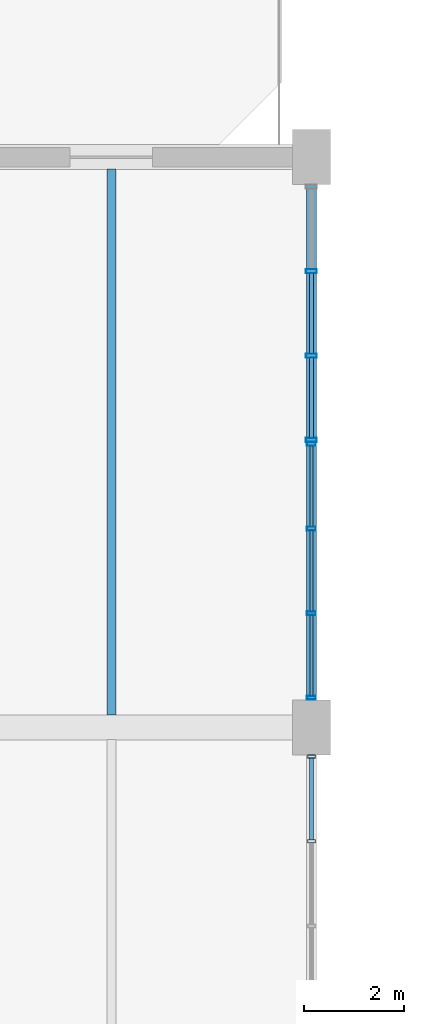
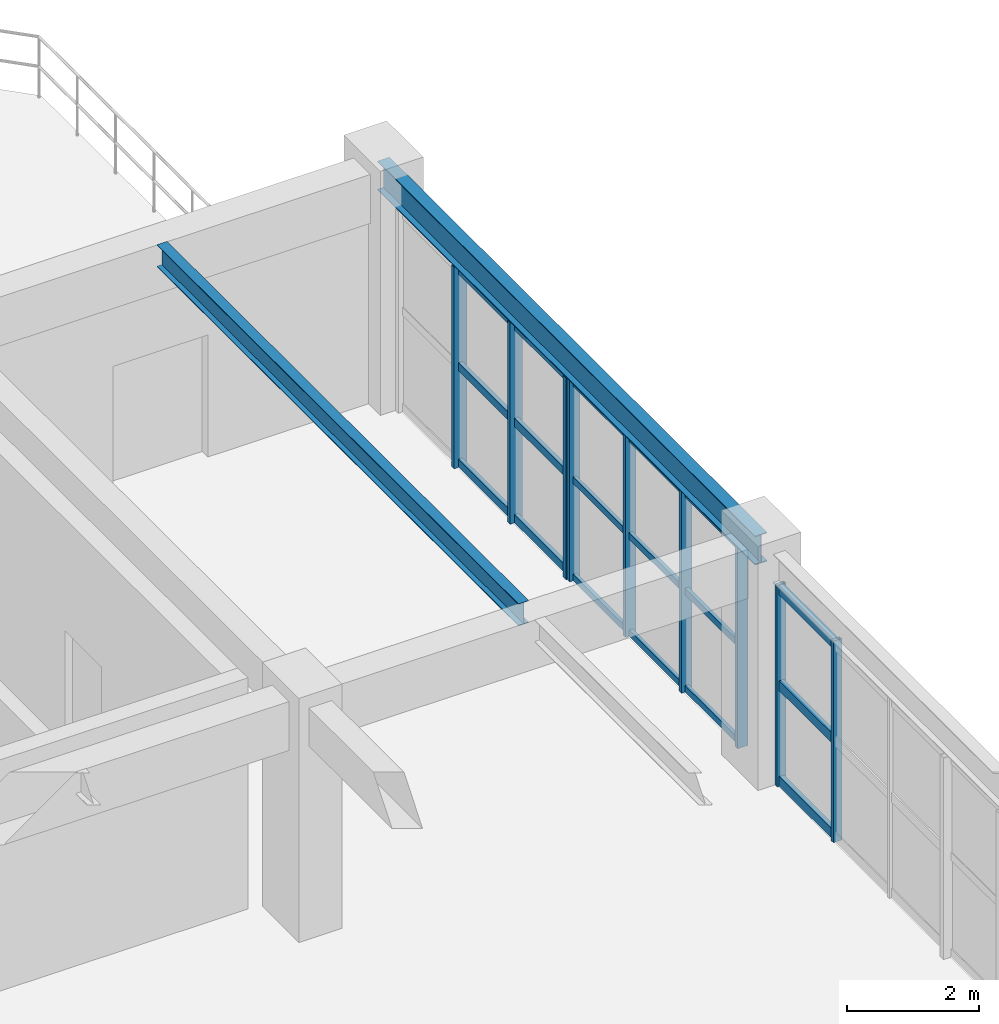
# One storey, part 10 of 48: 27 members, 2 beams, 3 elements without a shape of their own.
"""IFC4 building model written with IfcOpenShell, lengths in metres."""

from ifc_helpers import new_model, si_unit, direction, frame, origin, origin_2d, place, context, subcontext, project, spatial, hollow_rectangle, i_section, extrude, material, layer, layer_set, material_profile, profile_set, type_object, element, aggregate, save


model = new_model("IFC4")

# Units and contexts
model_context = context("Model", 3, precision=1e-05, world=origin(), true_north=direction((0.0, 1.0)))
body_context = subcontext(model_context, "Body", "Model", "MODEL_VIEW")
ifc_project = project(units=[si_unit("LENGTHUNIT", "METRE"), si_unit("AREAUNIT", "SQUARE_METRE"), si_unit("VOLUMEUNIT", "CUBIC_METRE"), si_unit("PLANEANGLEUNIT", "RADIAN"), si_unit("MASSUNIT", "GRAM", prefix="KILO"), si_unit("POWERUNIT", "WATT"), si_unit("THERMODYNAMICTEMPERATUREUNIT", "KELVIN")], contexts=[model_context])

# Site, building, storey
site_placement = place(None, origin())
site = spatial("IfcSite", under=ifc_project, at=site_placement, CompositionType="ELEMENT")
building_placement = place(site_placement, origin())
building = spatial("IfcBuilding", under=site, at=building_placement, Name="Kelmbourne Parkland Aquatics Centre", CompositionType="ELEMENT")
storey_placement = place(building_placement, frame((0.0, 0.0, 14.699951171875)))
storey = spatial("IfcBuildingStorey", under=building, at=storey_placement, Name="L03", CompositionType="ELEMENT", Elevation=14.699951171875)

# Beams
ifc_material_1 = material(Name="Structural steel AS/NZS 3679.1 Grade 300", Category="steel")
ifc_material_profile_1 = material_profile(ifc_material_1, i_section(OverallWidth=0.177978515625, OverallDepth=0.406005859375, WebThickness=0.0078125, FlangeThickness=0.0126953125, at=origin_2d()), Name="410UB59.7")
ifc_profile_set_1 = profile_set([ifc_material_profile_1], Name="Structural steel AS/NZS 3679.1 Grade 300")
beam_type_1 = type_object("IfcBeamType", Name="BM-J01", PredefinedType="JOIST", material=ifc_profile_set_1)
beam_1_placement = place(storey_placement, frame((36.0, 35.241943359375, 4.05712890625), z_axis=(0.0, 1.0, 0.0), x_axis=(-1.0, 0.0, 0.0)))
element("IfcBeam", 1, at=beam_1_placement, inside=storey, type_object=beam_type_1, Name="Secondary floor joist E-F/05-06 #1 (L04)", PredefinedType="JOIST", context=body_context, shape_type="SweptSolid", body=[
    extrude(i_section(OverallWidth=0.177978515625, OverallDepth=0.406005859375, WebThickness=0.0078125, FlangeThickness=0.0126953125, at=origin_2d()), origin(), (0.0, 0.0, 1.0), 10.916015625),
])
ifc_material_profile_2 = material_profile(ifc_material_1, i_section(OverallWidth=0.208984375, OverallDepth=0.532958984375, WebThickness=0.01025390625, FlangeThickness=0.015625, at=origin_2d()), Name="530UB92.4")
ifc_profile_set_2 = profile_set([ifc_material_profile_2], Name="Structural steel AS/NZS 3679.1 Grade 300")
beam_type_2 = type_object("IfcBeamType", Name="BM-SP02", PredefinedType="SPANDREL", material=ifc_profile_set_2)
beam_2_placement = place(storey_placement, frame((40.0, 35.0, 3.99365234375), z_axis=(0.0, 1.0, 0.0), x_axis=(-1.0, 0.0, 0.0)))
element("IfcBeam", 2, at=beam_2_placement, inside=storey, type_object=beam_type_2, Name="Perimeter spandrel 05-06 Grid F (L04)", PredefinedType="SPANDREL", context=body_context, shape_type="SweptSolid", body=[
    extrude(i_section(OverallWidth=0.208984375, OverallDepth=0.532958984375, WebThickness=0.01025390625, FlangeThickness=0.015625, at=origin_2d()), origin(), (0.0, 0.0, 1.0), 11.39990234375),
])

# Curtain wall, members
ifc_material_2 = material(Name="Thermally broken anodised aluminium framing", Category="aluminium")
ifc_layer_1 = layer(ifc_material_2, 0.179931640625)
ifc_layer_set_1 = layer_set([ifc_layer_1], Name="Thermally broken anodised aluminium framing")
curtain_wall_type_1 = type_object("IfcCurtainWallType", Name="CW-20", PredefinedType="NOTDEFINED", material=ifc_layer_set_1)
curtain_wall_1_placement = place(storey_placement, origin())
curtain_wall_1 = element("IfcCurtainWall", 3, at=curtain_wall_1_placement, inside=storey, type_object=curtain_wall_type_1, Name="Facade curtain wall CW-L03-260", PredefinedType="NOTDEFINED")
ifc_material_profile_3 = material_profile(ifc_material_2, hollow_rectangle(XDim=0.06494140625, YDim=0.14990234375, WallThickness=0.00390625, at=origin_2d()), Name="CW-M 65x150")
ifc_profile_set_3 = profile_set([ifc_material_profile_3], Name="Thermally broken anodised aluminium framing")
member_type_1 = type_object("IfcMemberType", Name="MB-MUL-1", PredefinedType="MULLION", material=ifc_profile_set_3)
member_1_placement = place(storey_placement, frame((40.0, 32.72119140625, 0.0), z_axis=(0.0, 0.0, 1.0), x_axis=(0.0, 1.0, 0.0)))
member_1 = element("IfcMember", 4, at=member_1_placement, type_object=member_type_1, Name="CW-L03-260 mullion 2", PredefinedType="MULLION", context=body_context, shape_type="SweptSolid", body=[
    extrude(hollow_rectangle(XDim=0.06494140625, YDim=0.14990234375, WallThickness=0.00390625, at=origin_2d()), origin(), (0.0, 0.0, 1.0), 3.712158203125),
])
member_2_placement = place(storey_placement, frame((40.0, 34.41552734375, 0.0), z_axis=(0.0, 0.0, 1.0), x_axis=(0.0, 1.0, 0.0)))
member_2 = element("IfcMember", 5, at=member_2_placement, type_object=member_type_1, Name="CW-L03-260 mullion 3", PredefinedType="MULLION", context=body_context, shape_type="SweptSolid", body=[
    extrude(hollow_rectangle(XDim=0.06494140625, YDim=0.14990234375, WallThickness=0.00390625, at=origin_2d()), origin(), (0.0, 0.0, 1.0), 3.712158203125),
])

ifc_layer_2 = layer(ifc_material_2, 0.179931640625)
ifc_layer_set_2 = layer_set([ifc_layer_2], Name="Thermally broken anodised aluminium framing")
curtain_wall_type_2 = type_object("IfcCurtainWallType", Name="CW-21", PredefinedType="NOTDEFINED", material=ifc_layer_set_2)
curtain_wall_2_placement = place(storey_placement, origin())
curtain_wall_2 = element("IfcCurtainWall", 6, at=curtain_wall_2_placement, inside=storey, type_object=curtain_wall_type_2, Name="Facade curtain wall CW-L03-261", PredefinedType="NOTDEFINED")
ifc_material_profile_4 = material_profile(ifc_material_2, hollow_rectangle(XDim=0.074951171875, YDim=0.179931640625, WallThickness=0.00439453125, at=origin_2d()), Name="CW-M 75x180")
ifc_profile_set_4 = profile_set([ifc_material_profile_4], Name="Thermally broken anodised aluminium framing")
member_type_2 = type_object("IfcMemberType", Name="MB-MUL-2", PredefinedType="MULLION", material=ifc_profile_set_4)
member_3_placement = place(storey_placement, frame((40.0, 35.589599609375, 0.0), z_axis=(0.0, 0.0, 1.0), x_axis=(0.0, 1.0, 0.0)))
member_3 = element("IfcMember", 7, at=member_3_placement, type_object=member_type_2, Name="CW-L03-261 mullion 0", PredefinedType="MULLION", context=body_context, shape_type="SweptSolid", body=[
    extrude(hollow_rectangle(XDim=0.074951171875, YDim=0.179931640625, WallThickness=0.00439453125, at=origin_2d()), origin(), (0.0, 0.0, 1.0), 3.712158203125),
])
member_4_placement = place(storey_placement, frame((40.0, 37.280517578125, 0.0), z_axis=(0.0, 0.0, 1.0), x_axis=(0.0, 1.0, 0.0)))
member_4 = element("IfcMember", 8, at=member_4_placement, type_object=member_type_2, Name="CW-L03-261 mullion 1", PredefinedType="MULLION", context=body_context, shape_type="SweptSolid", body=[
    extrude(hollow_rectangle(XDim=0.074951171875, YDim=0.179931640625, WallThickness=0.00439453125, at=origin_2d()), origin(), (0.0, 0.0, 1.0), 3.712158203125),
])
member_5_placement = place(storey_placement, frame((40.0, 38.971435546875, 0.0), z_axis=(0.0, 0.0, 1.0), x_axis=(0.0, 1.0, 0.0)))
member_5 = element("IfcMember", 9, at=member_5_placement, type_object=member_type_2, Name="CW-L03-261 mullion 2", PredefinedType="MULLION", context=body_context, shape_type="SweptSolid", body=[
    extrude(hollow_rectangle(XDim=0.074951171875, YDim=0.179931640625, WallThickness=0.00439453125, at=origin_2d()), origin(), (0.0, 0.0, 1.0), 3.712158203125),
])
member_6_placement = place(storey_placement, frame((40.0, 40.66259765625, 0.0), z_axis=(0.0, 0.0, 1.0), x_axis=(0.0, 1.0, 0.0)))
member_6 = element("IfcMember", 10, at=member_6_placement, type_object=member_type_2, Name="CW-L03-261 mullion 3", PredefinedType="MULLION", context=body_context, shape_type="SweptSolid", body=[
    extrude(hollow_rectangle(XDim=0.074951171875, YDim=0.179931640625, WallThickness=0.00439453125, at=origin_2d()), origin(), (0.0, 0.0, 1.0), 3.712158203125),
])

ifc_layer_3 = layer(ifc_material_2, 0.179931640625)
ifc_layer_set_3 = layer_set([ifc_layer_3], Name="Thermally broken anodised aluminium framing")
curtain_wall_type_3 = type_object("IfcCurtainWallType", Name="CW-22", PredefinedType="NOTDEFINED", material=ifc_layer_set_3)
curtain_wall_3_placement = place(storey_placement, origin())
curtain_wall_3 = element("IfcCurtainWall", 11, at=curtain_wall_3_placement, inside=storey, type_object=curtain_wall_type_3, Name="Facade curtain wall CW-L03-262", PredefinedType="NOTDEFINED")
ifc_material_profile_5 = material_profile(ifc_material_2, hollow_rectangle(XDim=0.0849609375, YDim=0.219970703125, WallThickness=0.0048828125, at=origin_2d()), Name="CW-M 85x220")
ifc_profile_set_5 = profile_set([ifc_material_profile_5], Name="Thermally broken anodised aluminium framing")
member_type_3 = type_object("IfcMemberType", Name="MB-MUL-3", PredefinedType="MULLION", material=ifc_profile_set_5)
member_7_placement = place(storey_placement, frame((40.0, 40.742431640625, 0.0), z_axis=(0.0, 0.0, 1.0), x_axis=(0.0, 1.0, 0.0)))
member_7 = element("IfcMember", 12, at=member_7_placement, type_object=member_type_3, Name="CW-L03-262 mullion 0", PredefinedType="MULLION", context=body_context, shape_type="SweptSolid", body=[
    extrude(hollow_rectangle(XDim=0.0849609375, YDim=0.219970703125, WallThickness=0.0048828125, at=origin_2d()), origin(), (0.0, 0.0, 1.0), 3.712158203125),
])
member_8_placement = place(storey_placement, frame((40.0, 42.43017578125, 0.0), z_axis=(0.0, 0.0, 1.0), x_axis=(0.0, 1.0, 0.0)))
member_8 = element("IfcMember", 13, at=member_8_placement, type_object=member_type_3, Name="CW-L03-262 mullion 1", PredefinedType="MULLION", context=body_context, shape_type="SweptSolid", body=[
    extrude(hollow_rectangle(XDim=0.0849609375, YDim=0.219970703125, WallThickness=0.0048828125, at=origin_2d()), origin(), (0.0, 0.0, 1.0), 3.712158203125),
])
member_9_placement = place(storey_placement, frame((40.0, 44.117919921875, 0.0), z_axis=(0.0, 0.0, 1.0), x_axis=(0.0, 1.0, 0.0)))
member_9 = element("IfcMember", 14, at=member_9_placement, type_object=member_type_3, Name="CW-L03-262 mullion 2", PredefinedType="MULLION", context=body_context, shape_type="SweptSolid", body=[
    extrude(hollow_rectangle(XDim=0.0849609375, YDim=0.219970703125, WallThickness=0.0048828125, at=origin_2d()), origin(), (0.0, 0.0, 1.0), 3.712158203125),
])

# Member
ifc_material_profile_6 = material_profile(ifc_material_2, hollow_rectangle(XDim=0.06494140625, YDim=0.1201171875, WallThickness=0.00341796875, at=origin_2d()), Name="CW-T 65x120")
ifc_profile_set_6 = profile_set([ifc_material_profile_6], Name="Thermally broken anodised aluminium framing")
member_type_4 = type_object("IfcMemberType", Name="MB-TRN-1", PredefinedType="USERDEFINED", material=ifc_profile_set_6)
member_10_placement = place(storey_placement, frame((40.0, 35.623046875, 0.06298828125), z_axis=(0.0, 1.0, 0.0), x_axis=(-1.0, 0.0, 0.0)))
member_10 = element("IfcMember", 15, at=member_10_placement, type_object=member_type_4, Name="CW-L03-261 transom 0-0", ObjectType="TRANSOM", PredefinedType="USERDEFINED", context=body_context, shape_type="SweptSolid", body=[
    extrude(hollow_rectangle(XDim=0.06494140625, YDim=0.1201171875, WallThickness=0.00341796875, at=origin_2d()), origin(), (0.0, 0.0, 1.0), 1.6240234375),
])

member_11_placement = place(storey_placement, frame((40.0, 37.31396484375, 0.06298828125), z_axis=(0.0, 1.0, 0.0), x_axis=(-1.0, 0.0, 0.0)))
member_11 = element("IfcMember", 16, at=member_11_placement, type_object=member_type_4, Name="CW-L03-261 transom 0-1", ObjectType="TRANSOM", PredefinedType="USERDEFINED", context=body_context, shape_type="SweptSolid", body=[
    extrude(hollow_rectangle(XDim=0.06494140625, YDim=0.1201171875, WallThickness=0.00341796875, at=origin_2d()), origin(), (0.0, 0.0, 1.0), 1.6240234375),
])

member_12_placement = place(storey_placement, frame((40.0, 39.0048828125, 0.06298828125), z_axis=(0.0, 1.0, 0.0), x_axis=(-1.0, 0.0, 0.0)))
member_12 = element("IfcMember", 17, at=member_12_placement, type_object=member_type_4, Name="CW-L03-261 transom 0-2", ObjectType="TRANSOM", PredefinedType="USERDEFINED", context=body_context, shape_type="SweptSolid", body=[
    extrude(hollow_rectangle(XDim=0.06494140625, YDim=0.1201171875, WallThickness=0.00341796875, at=origin_2d()), origin(), (0.0, 0.0, 1.0), 1.6240234375),
])

member_13_placement = place(storey_placement, frame((40.0, 35.623046875, 1.85595703125), z_axis=(0.0, 1.0, 0.0), x_axis=(-1.0, 0.0, 0.0)))
member_13 = element("IfcMember", 18, at=member_13_placement, type_object=member_type_4, Name="CW-L03-261 transom 1-0", ObjectType="TRANSOM", PredefinedType="USERDEFINED", context=body_context, shape_type="SweptSolid", body=[
    extrude(hollow_rectangle(XDim=0.06494140625, YDim=0.1201171875, WallThickness=0.00341796875, at=origin_2d()), origin(), (0.0, 0.0, 1.0), 1.6240234375),
])

member_14_placement = place(storey_placement, frame((40.0, 37.31396484375, 1.85595703125), z_axis=(0.0, 1.0, 0.0), x_axis=(-1.0, 0.0, 0.0)))
member_14 = element("IfcMember", 19, at=member_14_placement, type_object=member_type_4, Name="CW-L03-261 transom 1-1", ObjectType="TRANSOM", PredefinedType="USERDEFINED", context=body_context, shape_type="SweptSolid", body=[
    extrude(hollow_rectangle(XDim=0.06494140625, YDim=0.1201171875, WallThickness=0.00341796875, at=origin_2d()), origin(), (0.0, 0.0, 1.0), 1.6240234375),
])

member_15_placement = place(storey_placement, frame((40.0, 39.0048828125, 1.85595703125), z_axis=(0.0, 1.0, 0.0), x_axis=(-1.0, 0.0, 0.0)))
member_15 = element("IfcMember", 20, at=member_15_placement, type_object=member_type_4, Name="CW-L03-261 transom 1-2", ObjectType="TRANSOM", PredefinedType="USERDEFINED", context=body_context, shape_type="SweptSolid", body=[
    extrude(hollow_rectangle(XDim=0.06494140625, YDim=0.1201171875, WallThickness=0.00341796875, at=origin_2d()), origin(), (0.0, 0.0, 1.0), 1.6240234375),
])

member_16_placement = place(storey_placement, frame((40.0, 35.623046875, 3.649169921875), z_axis=(0.0, 1.0, 0.0), x_axis=(-1.0, 0.0, 0.0)))
member_16 = element("IfcMember", 21, at=member_16_placement, type_object=member_type_4, Name="CW-L03-261 transom 2-0", ObjectType="TRANSOM", PredefinedType="USERDEFINED", context=body_context, shape_type="SweptSolid", body=[
    extrude(hollow_rectangle(XDim=0.06494140625, YDim=0.1201171875, WallThickness=0.00341796875, at=origin_2d()), origin(), (0.0, 0.0, 1.0), 1.6240234375),
])

member_17_placement = place(storey_placement, frame((40.0, 37.31396484375, 3.649169921875), z_axis=(0.0, 1.0, 0.0), x_axis=(-1.0, 0.0, 0.0)))
member_17 = element("IfcMember", 22, at=member_17_placement, type_object=member_type_4, Name="CW-L03-261 transom 2-1", ObjectType="TRANSOM", PredefinedType="USERDEFINED", context=body_context, shape_type="SweptSolid", body=[
    extrude(hollow_rectangle(XDim=0.06494140625, YDim=0.1201171875, WallThickness=0.00341796875, at=origin_2d()), origin(), (0.0, 0.0, 1.0), 1.6240234375),
])

member_18_placement = place(storey_placement, frame((40.0, 39.0048828125, 3.649169921875), z_axis=(0.0, 1.0, 0.0), x_axis=(-1.0, 0.0, 0.0)))
member_18 = element("IfcMember", 23, at=member_18_placement, type_object=member_type_4, Name="CW-L03-261 transom 2-2", ObjectType="TRANSOM", PredefinedType="USERDEFINED", context=body_context, shape_type="SweptSolid", body=[
    extrude(hollow_rectangle(XDim=0.06494140625, YDim=0.1201171875, WallThickness=0.00341796875, at=origin_2d()), origin(), (0.0, 0.0, 1.0), 1.6240234375),
])

aggregate(curtain_wall_2, [member_3, member_4, member_5, member_6, member_10, member_11, member_12, member_13, member_14, member_15, member_16, member_17, member_18])

ifc_material_profile_7 = material_profile(ifc_material_2, hollow_rectangle(XDim=0.074951171875, YDim=0.14990234375, WallThickness=0.00390625, at=origin_2d()), Name="CW-T 75x150")
ifc_profile_set_7 = profile_set([ifc_material_profile_7], Name="Thermally broken anodised aluminium framing")
member_type_5 = type_object("IfcMemberType", Name="MB-TRN-2", PredefinedType="USERDEFINED", material=ifc_profile_set_7)
member_19_placement = place(storey_placement, frame((40.0, 40.781005859375, 0.078125), z_axis=(0.0, 1.0, 0.0), x_axis=(-1.0, 0.0, 0.0)))
member_19 = element("IfcMember", 24, at=member_19_placement, type_object=member_type_5, Name="CW-L03-262 transom 0-0", ObjectType="TRANSOM", PredefinedType="USERDEFINED", context=body_context, shape_type="SweptSolid", body=[
    extrude(hollow_rectangle(XDim=0.074951171875, YDim=0.14990234375, WallThickness=0.00390625, at=origin_2d()), origin(), (0.0, 0.0, 1.0), 1.610595703125),
])

member_20_placement = place(storey_placement, frame((40.0, 42.46875, 0.078125), z_axis=(0.0, 1.0, 0.0), x_axis=(-1.0, 0.0, 0.0)))
member_20 = element("IfcMember", 25, at=member_20_placement, type_object=member_type_5, Name="CW-L03-262 transom 0-1", ObjectType="TRANSOM", PredefinedType="USERDEFINED", context=body_context, shape_type="SweptSolid", body=[
    extrude(hollow_rectangle(XDim=0.074951171875, YDim=0.14990234375, WallThickness=0.00390625, at=origin_2d()), origin(), (0.0, 0.0, 1.0), 1.610595703125),
])

member_21_placement = place(storey_placement, frame((40.0, 40.781005859375, 1.85595703125), z_axis=(0.0, 1.0, 0.0), x_axis=(-1.0, 0.0, 0.0)))
member_21 = element("IfcMember", 26, at=member_21_placement, type_object=member_type_5, Name="CW-L03-262 transom 1-0", ObjectType="TRANSOM", PredefinedType="USERDEFINED", context=body_context, shape_type="SweptSolid", body=[
    extrude(hollow_rectangle(XDim=0.074951171875, YDim=0.14990234375, WallThickness=0.00390625, at=origin_2d()), origin(), (0.0, 0.0, 1.0), 1.610595703125),
])

member_22_placement = place(storey_placement, frame((40.0, 42.46875, 1.85595703125), z_axis=(0.0, 1.0, 0.0), x_axis=(-1.0, 0.0, 0.0)))
member_22 = element("IfcMember", 27, at=member_22_placement, type_object=member_type_5, Name="CW-L03-262 transom 1-1", ObjectType="TRANSOM", PredefinedType="USERDEFINED", context=body_context, shape_type="SweptSolid", body=[
    extrude(hollow_rectangle(XDim=0.074951171875, YDim=0.14990234375, WallThickness=0.00390625, at=origin_2d()), origin(), (0.0, 0.0, 1.0), 1.610595703125),
])

member_23_placement = place(storey_placement, frame((40.0, 40.781005859375, 3.634033203125), z_axis=(0.0, 1.0, 0.0), x_axis=(-1.0, 0.0, 0.0)))
member_23 = element("IfcMember", 28, at=member_23_placement, type_object=member_type_5, Name="CW-L03-262 transom 2-0", ObjectType="TRANSOM", PredefinedType="USERDEFINED", context=body_context, shape_type="SweptSolid", body=[
    extrude(hollow_rectangle(XDim=0.074951171875, YDim=0.14990234375, WallThickness=0.00390625, at=origin_2d()), origin(), (0.0, 0.0, 1.0), 1.610595703125),
])

member_24_placement = place(storey_placement, frame((40.0, 42.46875, 3.634033203125), z_axis=(0.0, 1.0, 0.0), x_axis=(-1.0, 0.0, 0.0)))
member_24 = element("IfcMember", 29, at=member_24_placement, type_object=member_type_5, Name="CW-L03-262 transom 2-1", ObjectType="TRANSOM", PredefinedType="USERDEFINED", context=body_context, shape_type="SweptSolid", body=[
    extrude(hollow_rectangle(XDim=0.074951171875, YDim=0.14990234375, WallThickness=0.00390625, at=origin_2d()), origin(), (0.0, 0.0, 1.0), 1.610595703125),
])

aggregate(curtain_wall_3, [member_7, member_8, member_9, member_19, member_20, member_21, member_22, member_23, member_24])

ifc_material_profile_8 = material_profile(ifc_material_2, hollow_rectangle(XDim=0.0849609375, YDim=0.179931640625, WallThickness=0.00439453125, at=origin_2d()), Name="CW-T 85x180")
ifc_profile_set_8 = profile_set([ifc_material_profile_8], Name="Thermally broken anodised aluminium framing")
member_type_6 = type_object("IfcMemberType", Name="MB-TRN-3", PredefinedType="USERDEFINED", material=ifc_profile_set_8)
member_25_placement = place(storey_placement, frame((40.0, 32.749755859375, 0.093017578125), z_axis=(0.0, 1.0, 0.0), x_axis=(-1.0, 0.0, 0.0)))
member_25 = element("IfcMember", 30, at=member_25_placement, type_object=member_type_6, Name="CW-L03-260 transom 0-2", ObjectType="TRANSOM", PredefinedType="USERDEFINED", context=body_context, shape_type="SweptSolid", body=[
    extrude(hollow_rectangle(XDim=0.0849609375, YDim=0.179931640625, WallThickness=0.00439453125, at=origin_2d()), origin(), (0.0, 0.0, 1.0), 1.63720703125),
])

member_26_placement = place(storey_placement, frame((40.0, 32.749755859375, 1.85595703125), z_axis=(0.0, 1.0, 0.0), x_axis=(-1.0, 0.0, 0.0)))
member_26 = element("IfcMember", 31, at=member_26_placement, type_object=member_type_6, Name="CW-L03-260 transom 1-2", ObjectType="TRANSOM", PredefinedType="USERDEFINED", context=body_context, shape_type="SweptSolid", body=[
    extrude(hollow_rectangle(XDim=0.0849609375, YDim=0.179931640625, WallThickness=0.00439453125, at=origin_2d()), origin(), (0.0, 0.0, 1.0), 1.63720703125),
])

member_27_placement = place(storey_placement, frame((40.0, 32.749755859375, 3.619140625), z_axis=(0.0, 1.0, 0.0), x_axis=(-1.0, 0.0, 0.0)))
member_27 = element("IfcMember", 32, at=member_27_placement, type_object=member_type_6, Name="CW-L03-260 transom 2-2", ObjectType="TRANSOM", PredefinedType="USERDEFINED", context=body_context, shape_type="SweptSolid", body=[
    extrude(hollow_rectangle(XDim=0.0849609375, YDim=0.179931640625, WallThickness=0.00439453125, at=origin_2d()), origin(), (0.0, 0.0, 1.0), 1.63720703125),
])

aggregate(curtain_wall_1, [member_1, member_2, member_25, member_26, member_27])

save(model, "model.ifc")
